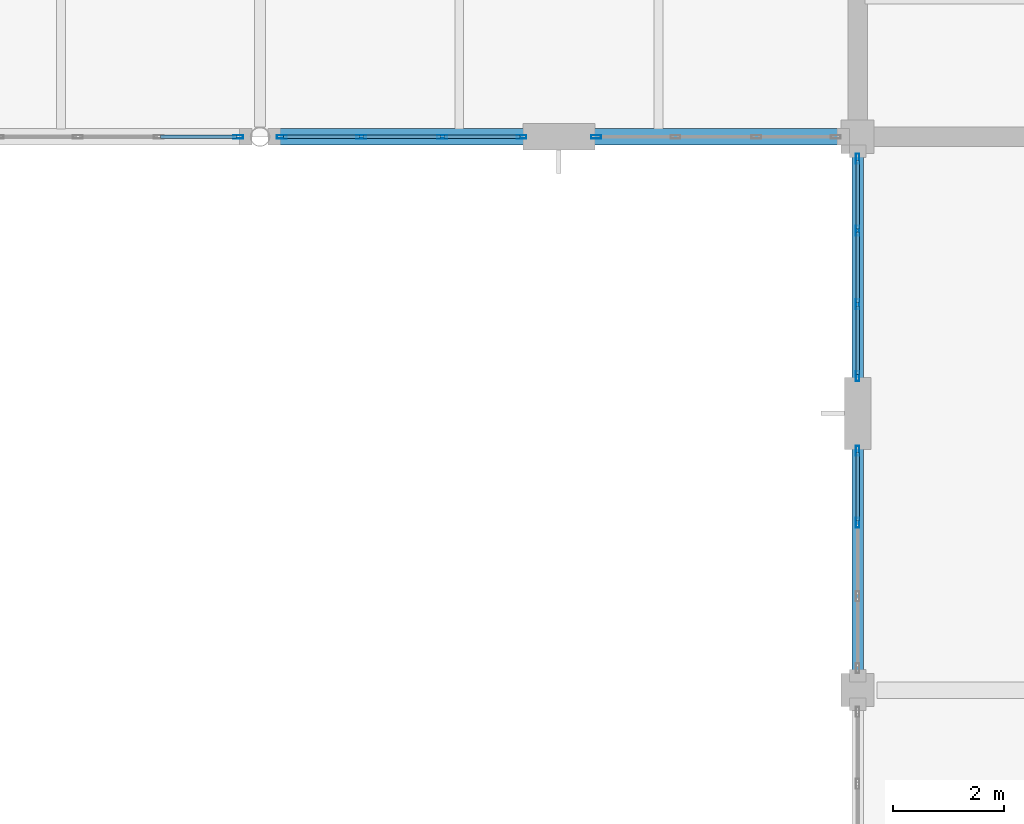
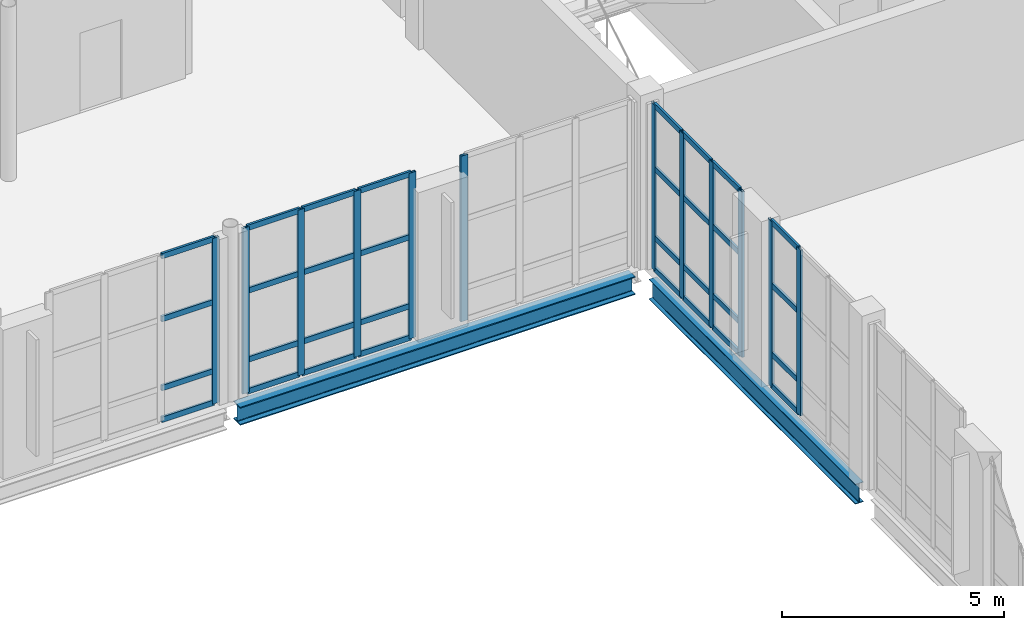
# One storey, part 33 of 100: 44 members, 2 beams, 5 elements without a shape of their own.
"""IFC4 building model written with IfcOpenShell, lengths in metres."""

from ifc_helpers import new_model, si_unit, direction, frame, origin, origin_2d, place, context, subcontext, project, spatial, hollow_rectangle, i_section, extrude, material, layer, layer_set, material_profile, profile_set, type_object, element, aggregate, save


model = new_model("IFC4")

# Units and contexts
model_context = context("Model", 3, precision=1e-05, world=origin(), true_north=direction((0.0, 1.0)))
body_context = subcontext(model_context, "Body", "Model", "MODEL_VIEW")
ifc_project = project(units=[si_unit("LENGTHUNIT", "METRE"), si_unit("AREAUNIT", "SQUARE_METRE"), si_unit("VOLUMEUNIT", "CUBIC_METRE"), si_unit("PLANEANGLEUNIT", "RADIAN"), si_unit("MASSUNIT", "GRAM", prefix="KILO")], contexts=[model_context])

# Site, building, storey
site_placement = place(None, origin())
site = spatial("IfcSite", under=ifc_project, at=site_placement, CompositionType="ELEMENT")
building_placement = place(site_placement, origin())
building = spatial("IfcBuilding", under=site, at=building_placement, Name="Tasgan Crest Museum", CompositionType="ELEMENT")
storey_placement = place(building_placement, frame((0.0, 0.0, 9.60009765625)))
storey = spatial("IfcBuildingStorey", under=building, at=storey_placement, Name="L02", CompositionType="ELEMENT", Elevation=9.60009765625)

# Beams
ifc_material_1 = material(Name="Steel S355J2", Category="steel")
ifc_material_profile_1 = material_profile(ifc_material_1, i_section(OverallWidth=0.300048828125, OverallDepth=0.5, WebThickness=0.014404296875, FlangeThickness=0.028076171875, FilletRadius=0.027099609375, at=origin_2d()), Name="HEB 500")
ifc_profile_set_1 = profile_set([ifc_material_profile_1], Name="Steel S355J2")
beam_type_1 = type_object("IfcBeamType", Name="BM-G-HEB500", PredefinedType="BEAM", material=ifc_profile_set_1)
beam_1_placement = place(storey_placement, frame((97.373779296875, 40.0, -0.489990234375), z_axis=(1.0, 0.0, 0.0), x_axis=(0.0, 1.0, 0.0)))
element("IfcBeam", 1, at=beam_1_placement, inside=storey, type_object=beam_type_1, Name="Girder L02 E 97.2-108.0", PredefinedType="BEAM", context=body_context, shape_type="SweptSolid", body=[
    extrude(i_section(OverallWidth=0.300048828125, OverallDepth=0.5, WebThickness=0.014404296875, FlangeThickness=0.028076171875, FilletRadius=0.027099609375, at=origin_2d()), origin(), (0.0, 0.0, 1.0), 10.2802734375),
])
ifc_material_2 = material(Name="Steel S355J2", Category="steel")
ifc_material_profile_2 = material_profile(ifc_material_2, i_section(OverallWidth=0.2099609375, OverallDepth=0.550048828125, WebThickness=0.010986328125, FlangeThickness=0.01708984375, FilletRadius=0.02392578125, at=origin_2d()), Name="IPE 550")
ifc_profile_set_2 = profile_set([ifc_material_profile_2], Name="Steel S355J2")
beam_type_2 = type_object("IfcBeamType", Name="BM-G-IPE550", PredefinedType="BEAM", material=ifc_profile_set_2)
beam_2_placement = place(storey_placement, frame((108.0, 30.344970703125, -0.55517578125), z_axis=(0.0, 1.0, 0.0), x_axis=(-1.0, 0.0, 0.0)))
element("IfcBeam", 2, at=beam_2_placement, inside=storey, type_object=beam_type_2, Name="Beam L02 11 30.0-40.0", PredefinedType="BEAM", context=body_context, shape_type="SweptSolid", body=[
    extrude(i_section(OverallWidth=0.2099609375, OverallDepth=0.550048828125, WebThickness=0.010986328125, FlangeThickness=0.01708984375, FilletRadius=0.02392578125, at=origin_2d()), origin(), (0.0, 0.0, 1.0), 9.31005859375),
])

# Curtain wall, members
ifc_material_3 = material(Name="Triple-Glazed Aluminium Curtain Wall", Category="aluminium")
ifc_layer_1 = layer(ifc_material_3, 0.179931640625, Name="CW-GAL-Y-48")
ifc_layer_set_1 = layer_set([ifc_layer_1], Name="Triple-Glazed Aluminium Curtain Wall")
curtain_wall_type_1 = type_object("IfcCurtainWallType", Name="CW-GAL-Y-48", PredefinedType="NOTDEFINED", material=ifc_layer_set_1)
curtain_wall_1_placement = place(storey_placement, origin())
curtain_wall_1 = element("IfcCurtainWall", 3, at=curtain_wall_1_placement, inside=storey, type_object=curtain_wall_type_1, Name="Curtain wall L02 061", PredefinedType="NOTDEFINED")
ifc_material_4 = material(Name="Anodised Aluminium", Category="aluminium")
ifc_material_profile_3 = material_profile(ifc_material_4, hollow_rectangle(XDim=0.06494140625, YDim=0.179931640625, WallThickness=0.0048828125, at=origin_2d()), Name="ALU MULLION 180x65x5")
ifc_profile_set_3 = profile_set([ifc_material_profile_3], Name="Anodised Aluminium")
member_type_1 = type_object("IfcMemberType", Name="CW-MULLION-180", PredefinedType="MULLION", material=ifc_profile_set_3)
member_1_placement = place(storey_placement, frame((108.0, 39.60498046875, 0.0), z_axis=(0.0, 0.0, 1.0), x_axis=(1.0, 0.0, 0.0)))
member_1 = element("IfcMember", 4, at=member_1_placement, type_object=member_type_1, Name="CW16 mullion 1", PredefinedType="MULLION", context=body_context, shape_type="SweptSolid", body=[
    extrude(hollow_rectangle(XDim=0.06494140625, YDim=0.179931640625, WallThickness=0.0048828125, at=origin_2d()), origin(), (0.0, 0.0, 1.0), 4.559814453125),
])
member_2_placement = place(storey_placement, frame((108.0, 38.304931640625, 0.0), z_axis=(0.0, 0.0, 1.0), x_axis=(1.0, 0.0, 0.0)))
member_2 = element("IfcMember", 5, at=member_2_placement, type_object=member_type_1, Name="CW16 mullion 2", PredefinedType="MULLION", context=body_context, shape_type="SweptSolid", body=[
    extrude(hollow_rectangle(XDim=0.06494140625, YDim=0.179931640625, WallThickness=0.0048828125, at=origin_2d()), origin(), (0.0, 0.0, 1.0), 4.559814453125),
])
member_3_placement = place(storey_placement, frame((108.0, 36.97509765625, 0.0), z_axis=(0.0, 0.0, 1.0), x_axis=(1.0, 0.0, 0.0)))
member_3 = element("IfcMember", 6, at=member_3_placement, type_object=member_type_1, Name="CW16 mullion 3", PredefinedType="MULLION", context=body_context, shape_type="SweptSolid", body=[
    extrude(hollow_rectangle(XDim=0.06494140625, YDim=0.179931640625, WallThickness=0.0048828125, at=origin_2d()), origin(), (0.0, 0.0, 1.0), 4.559814453125),
])
member_4_placement = place(storey_placement, frame((108.0, 35.675048828125, 0.0), z_axis=(0.0, 0.0, 1.0), x_axis=(1.0, 0.0, 0.0)))
member_4 = element("IfcMember", 7, at=member_4_placement, type_object=member_type_1, Name="CW16 mullion 4", PredefinedType="MULLION", context=body_context, shape_type="SweptSolid", body=[
    extrude(hollow_rectangle(XDim=0.06494140625, YDim=0.179931640625, WallThickness=0.0048828125, at=origin_2d()), origin(), (0.0, 0.0, 1.0), 4.559814453125),
])

curtain_wall_2_placement = place(storey_placement, origin())
curtain_wall_2 = element("IfcCurtainWall", 8, at=curtain_wall_2_placement, inside=storey, type_object=curtain_wall_type_1, Name="Curtain wall L02 062", PredefinedType="NOTDEFINED")
member_5_placement = place(storey_placement, frame((108.0, 34.324951171875, 0.0), z_axis=(0.0, 0.0, 1.0), x_axis=(1.0, 0.0, 0.0)))
member_5 = element("IfcMember", 9, at=member_5_placement, type_object=member_type_1, Name="CW16 mullion 1", PredefinedType="MULLION", context=body_context, shape_type="SweptSolid", body=[
    extrude(hollow_rectangle(XDim=0.06494140625, YDim=0.179931640625, WallThickness=0.0048828125, at=origin_2d()), origin(), (0.0, 0.0, 1.0), 4.559814453125),
])
member_6_placement = place(storey_placement, frame((108.0, 33.02490234375, 0.0), z_axis=(0.0, 0.0, 1.0), x_axis=(1.0, 0.0, 0.0)))
member_6 = element("IfcMember", 10, at=member_6_placement, type_object=member_type_1, Name="CW16 mullion 2", PredefinedType="MULLION", context=body_context, shape_type="SweptSolid", body=[
    extrude(hollow_rectangle(XDim=0.06494140625, YDim=0.179931640625, WallThickness=0.0048828125, at=origin_2d()), origin(), (0.0, 0.0, 1.0), 4.559814453125),
])

# Curtain wall, member
ifc_material_5 = material(Name="Triple-Glazed Aluminium Curtain Wall", Category="aluminium")
ifc_layer_2 = layer(ifc_material_5, 0.179931640625, Name="CW-DRUM-X-48")
ifc_layer_set_2 = layer_set([ifc_layer_2], Name="Triple-Glazed Aluminium Curtain Wall")
curtain_wall_type_2 = type_object("IfcCurtainWallType", Name="CW-DRUM-X-48", PredefinedType="NOTDEFINED", material=ifc_layer_set_2)
curtain_wall_3_placement = place(storey_placement, origin())
curtain_wall_3 = element("IfcCurtainWall", 11, at=curtain_wall_3_placement, inside=storey, type_object=curtain_wall_type_2, Name="Curtain wall L02 108", PredefinedType="NOTDEFINED")
member_7_placement = place(storey_placement, frame((96.804931640625, 40.0, 0.0), z_axis=(0.0, 0.0, 1.0), x_axis=(0.0, 1.0, 0.0)))
member_7 = element("IfcMember", 12, at=member_7_placement, type_object=member_type_1, Name="CW03 mullion 4", PredefinedType="MULLION", context=body_context, shape_type="SweptSolid", body=[
    extrude(hollow_rectangle(XDim=0.06494140625, YDim=0.179931640625, WallThickness=0.0048828125, at=origin_2d()), origin(), (0.0, 0.0, 1.0), 4.559814453125),
])

# Curtain wall, members
curtain_wall_4_placement = place(storey_placement, origin())
curtain_wall_4 = element("IfcCurtainWall", 13, at=curtain_wall_4_placement, inside=storey, type_object=curtain_wall_type_2, Name="Curtain wall L02 109", PredefinedType="NOTDEFINED")
member_8_placement = place(storey_placement, frame((97.594970703125, 40.0, 0.0), z_axis=(0.0, 0.0, 1.0), x_axis=(0.0, 1.0, 0.0)))
member_8 = element("IfcMember", 14, at=member_8_placement, type_object=member_type_1, Name="CW03 mullion 1", PredefinedType="MULLION", context=body_context, shape_type="SweptSolid", body=[
    extrude(hollow_rectangle(XDim=0.06494140625, YDim=0.179931640625, WallThickness=0.0048828125, at=origin_2d()), origin(), (0.0, 0.0, 1.0), 4.559814453125),
])
member_9_placement = place(storey_placement, frame((99.0283203125, 40.0, 0.0), z_axis=(0.0, 0.0, 1.0), x_axis=(0.0, 1.0, 0.0)))
member_9 = element("IfcMember", 15, at=member_9_placement, type_object=member_type_1, Name="CW03 mullion 2", PredefinedType="MULLION", context=body_context, shape_type="SweptSolid", body=[
    extrude(hollow_rectangle(XDim=0.06494140625, YDim=0.179931640625, WallThickness=0.0048828125, at=origin_2d()), origin(), (0.0, 0.0, 1.0), 4.559814453125),
])
member_10_placement = place(storey_placement, frame((100.49169921875, 40.0, 0.0), z_axis=(0.0, 0.0, 1.0), x_axis=(0.0, 1.0, 0.0)))
member_10 = element("IfcMember", 16, at=member_10_placement, type_object=member_type_1, Name="CW03 mullion 3", PredefinedType="MULLION", context=body_context, shape_type="SweptSolid", body=[
    extrude(hollow_rectangle(XDim=0.06494140625, YDim=0.179931640625, WallThickness=0.0048828125, at=origin_2d()), origin(), (0.0, 0.0, 1.0), 4.559814453125),
])
member_11_placement = place(storey_placement, frame((101.925048828125, 40.0, 0.0), z_axis=(0.0, 0.0, 1.0), x_axis=(0.0, 1.0, 0.0)))
member_11 = element("IfcMember", 17, at=member_11_placement, type_object=member_type_1, Name="CW03 mullion 4", PredefinedType="MULLION", context=body_context, shape_type="SweptSolid", body=[
    extrude(hollow_rectangle(XDim=0.06494140625, YDim=0.179931640625, WallThickness=0.0048828125, at=origin_2d()), origin(), (0.0, 0.0, 1.0), 4.559814453125),
])

# Curtain wall, member
curtain_wall_5_placement = place(storey_placement, origin())
curtain_wall_5 = element("IfcCurtainWall", 18, at=curtain_wall_5_placement, inside=storey, type_object=curtain_wall_type_2, Name="Curtain wall L02 110", PredefinedType="NOTDEFINED")
member_12_placement = place(storey_placement, frame((103.27490234375, 40.0, 0.0), z_axis=(0.0, 0.0, 1.0), x_axis=(0.0, 1.0, 0.0)))
member_12 = element("IfcMember", 19, at=member_12_placement, type_object=member_type_1, Name="CW03 mullion 1", PredefinedType="MULLION", context=body_context, shape_type="SweptSolid", body=[
    extrude(hollow_rectangle(XDim=0.06494140625, YDim=0.179931640625, WallThickness=0.0048828125, at=origin_2d()), origin(), (0.0, 0.0, 1.0), 4.559814453125),
])
aggregate(curtain_wall_5, [member_12])

# Member
ifc_material_6 = material(Name="Anodised Aluminium", Category="aluminium")
ifc_material_profile_4 = material_profile(ifc_material_6, hollow_rectangle(XDim=0.06005859375, YDim=0.14990234375, WallThickness=0.0048828125, at=origin_2d()), Name="ALU TRANSOM 150x60x5")
ifc_profile_set_4 = profile_set([ifc_material_profile_4], Name="Anodised Aluminium")
member_type_2 = type_object("IfcMemberType", Name="CW-TRANSOM-150", PredefinedType="USERDEFINED", material=ifc_profile_set_4)
member_13_placement = place(storey_placement, frame((108.0, 39.574951171875, 0.02978515625), z_axis=(0.0, -1.0, 0.0), x_axis=(1.0, 0.0, 0.0)))
member_13 = element("IfcMember", 20, at=member_13_placement, type_object=member_type_2, Name="CW16 transom 1.1", ObjectType="TRANSOM", PredefinedType="USERDEFINED", context=body_context, shape_type="SweptSolid", body=[
    extrude(hollow_rectangle(XDim=0.06005859375, YDim=0.14990234375, WallThickness=0.0048828125, at=origin_2d()), origin(), (0.0, 0.0, 1.0), 1.239990234375),
])

member_14_placement = place(storey_placement, frame((108.0, 39.574951171875, 0.89990234375), z_axis=(0.0, -1.0, 0.0), x_axis=(1.0, 0.0, 0.0)))
member_14 = element("IfcMember", 21, at=member_14_placement, type_object=member_type_2, Name="CW16 transom 1.2", ObjectType="TRANSOM", PredefinedType="USERDEFINED", context=body_context, shape_type="SweptSolid", body=[
    extrude(hollow_rectangle(XDim=0.06005859375, YDim=0.14990234375, WallThickness=0.0048828125, at=origin_2d()), origin(), (0.0, 0.0, 1.0), 1.239990234375),
])

member_15_placement = place(storey_placement, frame((108.0, 39.574951171875, 2.7998046875), z_axis=(0.0, -1.0, 0.0), x_axis=(1.0, 0.0, 0.0)))
member_15 = element("IfcMember", 22, at=member_15_placement, type_object=member_type_2, Name="CW16 transom 1.3", ObjectType="TRANSOM", PredefinedType="USERDEFINED", context=body_context, shape_type="SweptSolid", body=[
    extrude(hollow_rectangle(XDim=0.06005859375, YDim=0.14990234375, WallThickness=0.0048828125, at=origin_2d()), origin(), (0.0, 0.0, 1.0), 1.239990234375),
])

member_16_placement = place(storey_placement, frame((108.0, 39.574951171875, 4.52978515625), z_axis=(0.0, -1.0, 0.0), x_axis=(1.0, 0.0, 0.0)))
member_16 = element("IfcMember", 23, at=member_16_placement, type_object=member_type_2, Name="CW16 transom 1.4", ObjectType="TRANSOM", PredefinedType="USERDEFINED", context=body_context, shape_type="SweptSolid", body=[
    extrude(hollow_rectangle(XDim=0.06005859375, YDim=0.14990234375, WallThickness=0.0048828125, at=origin_2d()), origin(), (0.0, 0.0, 1.0), 1.239990234375),
])

member_17_placement = place(storey_placement, frame((108.0, 38.27490234375, 0.02978515625), z_axis=(0.0, -1.0, 0.0), x_axis=(1.0, 0.0, 0.0)))
member_17 = element("IfcMember", 24, at=member_17_placement, type_object=member_type_2, Name="CW16 transom 2.1", ObjectType="TRANSOM", PredefinedType="USERDEFINED", context=body_context, shape_type="SweptSolid", body=[
    extrude(hollow_rectangle(XDim=0.06005859375, YDim=0.14990234375, WallThickness=0.0048828125, at=origin_2d()), origin(), (0.0, 0.0, 1.0), 1.27001953125),
])

member_18_placement = place(storey_placement, frame((108.0, 38.27490234375, 0.89990234375), z_axis=(0.0, -1.0, 0.0), x_axis=(1.0, 0.0, 0.0)))
member_18 = element("IfcMember", 25, at=member_18_placement, type_object=member_type_2, Name="CW16 transom 2.2", ObjectType="TRANSOM", PredefinedType="USERDEFINED", context=body_context, shape_type="SweptSolid", body=[
    extrude(hollow_rectangle(XDim=0.06005859375, YDim=0.14990234375, WallThickness=0.0048828125, at=origin_2d()), origin(), (0.0, 0.0, 1.0), 1.27001953125),
])

member_19_placement = place(storey_placement, frame((108.0, 38.27490234375, 2.7998046875), z_axis=(0.0, -1.0, 0.0), x_axis=(1.0, 0.0, 0.0)))
member_19 = element("IfcMember", 26, at=member_19_placement, type_object=member_type_2, Name="CW16 transom 2.3", ObjectType="TRANSOM", PredefinedType="USERDEFINED", context=body_context, shape_type="SweptSolid", body=[
    extrude(hollow_rectangle(XDim=0.06005859375, YDim=0.14990234375, WallThickness=0.0048828125, at=origin_2d()), origin(), (0.0, 0.0, 1.0), 1.27001953125),
])

member_20_placement = place(storey_placement, frame((108.0, 38.27490234375, 4.52978515625), z_axis=(0.0, -1.0, 0.0), x_axis=(1.0, 0.0, 0.0)))
member_20 = element("IfcMember", 27, at=member_20_placement, type_object=member_type_2, Name="CW16 transom 2.4", ObjectType="TRANSOM", PredefinedType="USERDEFINED", context=body_context, shape_type="SweptSolid", body=[
    extrude(hollow_rectangle(XDim=0.06005859375, YDim=0.14990234375, WallThickness=0.0048828125, at=origin_2d()), origin(), (0.0, 0.0, 1.0), 1.27001953125),
])

member_21_placement = place(storey_placement, frame((108.0, 36.945068359375, 0.02978515625), z_axis=(0.0, -1.0, 0.0), x_axis=(1.0, 0.0, 0.0)))
member_21 = element("IfcMember", 28, at=member_21_placement, type_object=member_type_2, Name="CW16 transom 3.1", ObjectType="TRANSOM", PredefinedType="USERDEFINED", context=body_context, shape_type="SweptSolid", body=[
    extrude(hollow_rectangle(XDim=0.06005859375, YDim=0.14990234375, WallThickness=0.0048828125, at=origin_2d()), origin(), (0.0, 0.0, 1.0), 1.239990234375),
])

member_22_placement = place(storey_placement, frame((108.0, 36.945068359375, 0.89990234375), z_axis=(0.0, -1.0, 0.0), x_axis=(1.0, 0.0, 0.0)))
member_22 = element("IfcMember", 29, at=member_22_placement, type_object=member_type_2, Name="CW16 transom 3.2", ObjectType="TRANSOM", PredefinedType="USERDEFINED", context=body_context, shape_type="SweptSolid", body=[
    extrude(hollow_rectangle(XDim=0.06005859375, YDim=0.14990234375, WallThickness=0.0048828125, at=origin_2d()), origin(), (0.0, 0.0, 1.0), 1.239990234375),
])

member_23_placement = place(storey_placement, frame((108.0, 36.945068359375, 2.7998046875), z_axis=(0.0, -1.0, 0.0), x_axis=(1.0, 0.0, 0.0)))
member_23 = element("IfcMember", 30, at=member_23_placement, type_object=member_type_2, Name="CW16 transom 3.3", ObjectType="TRANSOM", PredefinedType="USERDEFINED", context=body_context, shape_type="SweptSolid", body=[
    extrude(hollow_rectangle(XDim=0.06005859375, YDim=0.14990234375, WallThickness=0.0048828125, at=origin_2d()), origin(), (0.0, 0.0, 1.0), 1.239990234375),
])

member_24_placement = place(storey_placement, frame((108.0, 36.945068359375, 4.52978515625), z_axis=(0.0, -1.0, 0.0), x_axis=(1.0, 0.0, 0.0)))
member_24 = element("IfcMember", 31, at=member_24_placement, type_object=member_type_2, Name="CW16 transom 3.4", ObjectType="TRANSOM", PredefinedType="USERDEFINED", context=body_context, shape_type="SweptSolid", body=[
    extrude(hollow_rectangle(XDim=0.06005859375, YDim=0.14990234375, WallThickness=0.0048828125, at=origin_2d()), origin(), (0.0, 0.0, 1.0), 1.239990234375),
])

aggregate(curtain_wall_1, [member_1, member_2, member_3, member_4, member_13, member_14, member_15, member_16, member_17, member_18, member_19, member_20, member_21, member_22, member_23, member_24])

member_25_placement = place(storey_placement, frame((108.0, 34.294921875, 0.02978515625), z_axis=(0.0, -1.0, 0.0), x_axis=(1.0, 0.0, 0.0)))
member_25 = element("IfcMember", 32, at=member_25_placement, type_object=member_type_2, Name="CW16 transom 1.1", ObjectType="TRANSOM", PredefinedType="USERDEFINED", context=body_context, shape_type="SweptSolid", body=[
    extrude(hollow_rectangle(XDim=0.06005859375, YDim=0.14990234375, WallThickness=0.0048828125, at=origin_2d()), origin(), (0.0, 0.0, 1.0), 1.239990234375),
])

member_26_placement = place(storey_placement, frame((108.0, 34.294921875, 0.89990234375), z_axis=(0.0, -1.0, 0.0), x_axis=(1.0, 0.0, 0.0)))
member_26 = element("IfcMember", 33, at=member_26_placement, type_object=member_type_2, Name="CW16 transom 1.2", ObjectType="TRANSOM", PredefinedType="USERDEFINED", context=body_context, shape_type="SweptSolid", body=[
    extrude(hollow_rectangle(XDim=0.06005859375, YDim=0.14990234375, WallThickness=0.0048828125, at=origin_2d()), origin(), (0.0, 0.0, 1.0), 1.239990234375),
])

member_27_placement = place(storey_placement, frame((108.0, 34.294921875, 2.7998046875), z_axis=(0.0, -1.0, 0.0), x_axis=(1.0, 0.0, 0.0)))
member_27 = element("IfcMember", 34, at=member_27_placement, type_object=member_type_2, Name="CW16 transom 1.3", ObjectType="TRANSOM", PredefinedType="USERDEFINED", context=body_context, shape_type="SweptSolid", body=[
    extrude(hollow_rectangle(XDim=0.06005859375, YDim=0.14990234375, WallThickness=0.0048828125, at=origin_2d()), origin(), (0.0, 0.0, 1.0), 1.239990234375),
])

member_28_placement = place(storey_placement, frame((108.0, 34.294921875, 4.52978515625), z_axis=(0.0, -1.0, 0.0), x_axis=(1.0, 0.0, 0.0)))
member_28 = element("IfcMember", 35, at=member_28_placement, type_object=member_type_2, Name="CW16 transom 1.4", ObjectType="TRANSOM", PredefinedType="USERDEFINED", context=body_context, shape_type="SweptSolid", body=[
    extrude(hollow_rectangle(XDim=0.06005859375, YDim=0.14990234375, WallThickness=0.0048828125, at=origin_2d()), origin(), (0.0, 0.0, 1.0), 1.239990234375),
])

aggregate(curtain_wall_2, [member_5, member_6, member_25, member_26, member_27, member_28])

member_29_placement = place(storey_placement, frame((95.401611328125, 40.0, 0.02978515625), z_axis=(1.0, 0.0, 0.0), x_axis=(0.0, 1.0, 0.0)))
member_29 = element("IfcMember", 36, at=member_29_placement, type_object=member_type_2, Name="CW03 transom 3.1", ObjectType="TRANSOM", PredefinedType="USERDEFINED", context=body_context, shape_type="SweptSolid", body=[
    extrude(hollow_rectangle(XDim=0.06005859375, YDim=0.14990234375, WallThickness=0.0048828125, at=origin_2d()), origin(), (0.0, 0.0, 1.0), 1.373291015625),
])

member_30_placement = place(storey_placement, frame((95.401611328125, 40.0, 0.89990234375), z_axis=(1.0, 0.0, 0.0), x_axis=(0.0, 1.0, 0.0)))
member_30 = element("IfcMember", 37, at=member_30_placement, type_object=member_type_2, Name="CW03 transom 3.2", ObjectType="TRANSOM", PredefinedType="USERDEFINED", context=body_context, shape_type="SweptSolid", body=[
    extrude(hollow_rectangle(XDim=0.06005859375, YDim=0.14990234375, WallThickness=0.0048828125, at=origin_2d()), origin(), (0.0, 0.0, 1.0), 1.373291015625),
])

member_31_placement = place(storey_placement, frame((95.401611328125, 40.0, 2.7998046875), z_axis=(1.0, 0.0, 0.0), x_axis=(0.0, 1.0, 0.0)))
member_31 = element("IfcMember", 38, at=member_31_placement, type_object=member_type_2, Name="CW03 transom 3.3", ObjectType="TRANSOM", PredefinedType="USERDEFINED", context=body_context, shape_type="SweptSolid", body=[
    extrude(hollow_rectangle(XDim=0.06005859375, YDim=0.14990234375, WallThickness=0.0048828125, at=origin_2d()), origin(), (0.0, 0.0, 1.0), 1.373291015625),
])

member_32_placement = place(storey_placement, frame((95.401611328125, 40.0, 4.52978515625), z_axis=(1.0, 0.0, 0.0), x_axis=(0.0, 1.0, 0.0)))
member_32 = element("IfcMember", 39, at=member_32_placement, type_object=member_type_2, Name="CW03 transom 3.4", ObjectType="TRANSOM", PredefinedType="USERDEFINED", context=body_context, shape_type="SweptSolid", body=[
    extrude(hollow_rectangle(XDim=0.06005859375, YDim=0.14990234375, WallThickness=0.0048828125, at=origin_2d()), origin(), (0.0, 0.0, 1.0), 1.373291015625),
])

aggregate(curtain_wall_3, [member_7, member_29, member_30, member_31, member_32])

member_33_placement = place(storey_placement, frame((97.625, 40.0, 0.02978515625), z_axis=(1.0, 0.0, 0.0), x_axis=(0.0, 1.0, 0.0)))
member_33 = element("IfcMember", 40, at=member_33_placement, type_object=member_type_2, Name="CW03 transom 1.1", ObjectType="TRANSOM", PredefinedType="USERDEFINED", context=body_context, shape_type="SweptSolid", body=[
    extrude(hollow_rectangle(XDim=0.06005859375, YDim=0.14990234375, WallThickness=0.0048828125, at=origin_2d()), origin(), (0.0, 0.0, 1.0), 1.373291015625),
])

member_34_placement = place(storey_placement, frame((97.625, 40.0, 0.89990234375), z_axis=(1.0, 0.0, 0.0), x_axis=(0.0, 1.0, 0.0)))
member_34 = element("IfcMember", 41, at=member_34_placement, type_object=member_type_2, Name="CW03 transom 1.2", ObjectType="TRANSOM", PredefinedType="USERDEFINED", context=body_context, shape_type="SweptSolid", body=[
    extrude(hollow_rectangle(XDim=0.06005859375, YDim=0.14990234375, WallThickness=0.0048828125, at=origin_2d()), origin(), (0.0, 0.0, 1.0), 1.373291015625),
])

member_35_placement = place(storey_placement, frame((97.625, 40.0, 2.7998046875), z_axis=(1.0, 0.0, 0.0), x_axis=(0.0, 1.0, 0.0)))
member_35 = element("IfcMember", 42, at=member_35_placement, type_object=member_type_2, Name="CW03 transom 1.3", ObjectType="TRANSOM", PredefinedType="USERDEFINED", context=body_context, shape_type="SweptSolid", body=[
    extrude(hollow_rectangle(XDim=0.06005859375, YDim=0.14990234375, WallThickness=0.0048828125, at=origin_2d()), origin(), (0.0, 0.0, 1.0), 1.373291015625),
])

member_36_placement = place(storey_placement, frame((97.625, 40.0, 4.52978515625), z_axis=(1.0, 0.0, 0.0), x_axis=(0.0, 1.0, 0.0)))
member_36 = element("IfcMember", 43, at=member_36_placement, type_object=member_type_2, Name="CW03 transom 1.4", ObjectType="TRANSOM", PredefinedType="USERDEFINED", context=body_context, shape_type="SweptSolid", body=[
    extrude(hollow_rectangle(XDim=0.06005859375, YDim=0.14990234375, WallThickness=0.0048828125, at=origin_2d()), origin(), (0.0, 0.0, 1.0), 1.373291015625),
])

member_37_placement = place(storey_placement, frame((99.058349609375, 40.0, 0.02978515625), z_axis=(1.0, 0.0, 0.0), x_axis=(0.0, 1.0, 0.0)))
member_37 = element("IfcMember", 44, at=member_37_placement, type_object=member_type_2, Name="CW03 transom 2.1", ObjectType="TRANSOM", PredefinedType="USERDEFINED", context=body_context, shape_type="SweptSolid", body=[
    extrude(hollow_rectangle(XDim=0.06005859375, YDim=0.14990234375, WallThickness=0.0048828125, at=origin_2d()), origin(), (0.0, 0.0, 1.0), 1.4033203125),
])

member_38_placement = place(storey_placement, frame((99.058349609375, 40.0, 0.89990234375), z_axis=(1.0, 0.0, 0.0), x_axis=(0.0, 1.0, 0.0)))
member_38 = element("IfcMember", 45, at=member_38_placement, type_object=member_type_2, Name="CW03 transom 2.2", ObjectType="TRANSOM", PredefinedType="USERDEFINED", context=body_context, shape_type="SweptSolid", body=[
    extrude(hollow_rectangle(XDim=0.06005859375, YDim=0.14990234375, WallThickness=0.0048828125, at=origin_2d()), origin(), (0.0, 0.0, 1.0), 1.4033203125),
])

member_39_placement = place(storey_placement, frame((99.058349609375, 40.0, 2.7998046875), z_axis=(1.0, 0.0, 0.0), x_axis=(0.0, 1.0, 0.0)))
member_39 = element("IfcMember", 46, at=member_39_placement, type_object=member_type_2, Name="CW03 transom 2.3", ObjectType="TRANSOM", PredefinedType="USERDEFINED", context=body_context, shape_type="SweptSolid", body=[
    extrude(hollow_rectangle(XDim=0.06005859375, YDim=0.14990234375, WallThickness=0.0048828125, at=origin_2d()), origin(), (0.0, 0.0, 1.0), 1.4033203125),
])

member_40_placement = place(storey_placement, frame((99.058349609375, 40.0, 4.52978515625), z_axis=(1.0, 0.0, 0.0), x_axis=(0.0, 1.0, 0.0)))
member_40 = element("IfcMember", 47, at=member_40_placement, type_object=member_type_2, Name="CW03 transom 2.4", ObjectType="TRANSOM", PredefinedType="USERDEFINED", context=body_context, shape_type="SweptSolid", body=[
    extrude(hollow_rectangle(XDim=0.06005859375, YDim=0.14990234375, WallThickness=0.0048828125, at=origin_2d()), origin(), (0.0, 0.0, 1.0), 1.4033203125),
])

member_41_placement = place(storey_placement, frame((100.521728515625, 40.0, 0.02978515625), z_axis=(1.0, 0.0, 0.0), x_axis=(0.0, 1.0, 0.0)))
member_41 = element("IfcMember", 48, at=member_41_placement, type_object=member_type_2, Name="CW03 transom 3.1", ObjectType="TRANSOM", PredefinedType="USERDEFINED", context=body_context, shape_type="SweptSolid", body=[
    extrude(hollow_rectangle(XDim=0.06005859375, YDim=0.14990234375, WallThickness=0.0048828125, at=origin_2d()), origin(), (0.0, 0.0, 1.0), 1.373291015625),
])

member_42_placement = place(storey_placement, frame((100.521728515625, 40.0, 0.89990234375), z_axis=(1.0, 0.0, 0.0), x_axis=(0.0, 1.0, 0.0)))
member_42 = element("IfcMember", 49, at=member_42_placement, type_object=member_type_2, Name="CW03 transom 3.2", ObjectType="TRANSOM", PredefinedType="USERDEFINED", context=body_context, shape_type="SweptSolid", body=[
    extrude(hollow_rectangle(XDim=0.06005859375, YDim=0.14990234375, WallThickness=0.0048828125, at=origin_2d()), origin(), (0.0, 0.0, 1.0), 1.373291015625),
])

member_43_placement = place(storey_placement, frame((100.521728515625, 40.0, 2.7998046875), z_axis=(1.0, 0.0, 0.0), x_axis=(0.0, 1.0, 0.0)))
member_43 = element("IfcMember", 50, at=member_43_placement, type_object=member_type_2, Name="CW03 transom 3.3", ObjectType="TRANSOM", PredefinedType="USERDEFINED", context=body_context, shape_type="SweptSolid", body=[
    extrude(hollow_rectangle(XDim=0.06005859375, YDim=0.14990234375, WallThickness=0.0048828125, at=origin_2d()), origin(), (0.0, 0.0, 1.0), 1.373291015625),
])

member_44_placement = place(storey_placement, frame((100.521728515625, 40.0, 4.52978515625), z_axis=(1.0, 0.0, 0.0), x_axis=(0.0, 1.0, 0.0)))
member_44 = element("IfcMember", 51, at=member_44_placement, type_object=member_type_2, Name="CW03 transom 3.4", ObjectType="TRANSOM", PredefinedType="USERDEFINED", context=body_context, shape_type="SweptSolid", body=[
    extrude(hollow_rectangle(XDim=0.06005859375, YDim=0.14990234375, WallThickness=0.0048828125, at=origin_2d()), origin(), (0.0, 0.0, 1.0), 1.373291015625),
])

aggregate(curtain_wall_4, [member_8, member_9, member_10, member_11, member_33, member_34, member_35, member_36, member_37, member_38, member_39, member_40, member_41, member_42, member_43, member_44])

save(model, "model.ifc")
